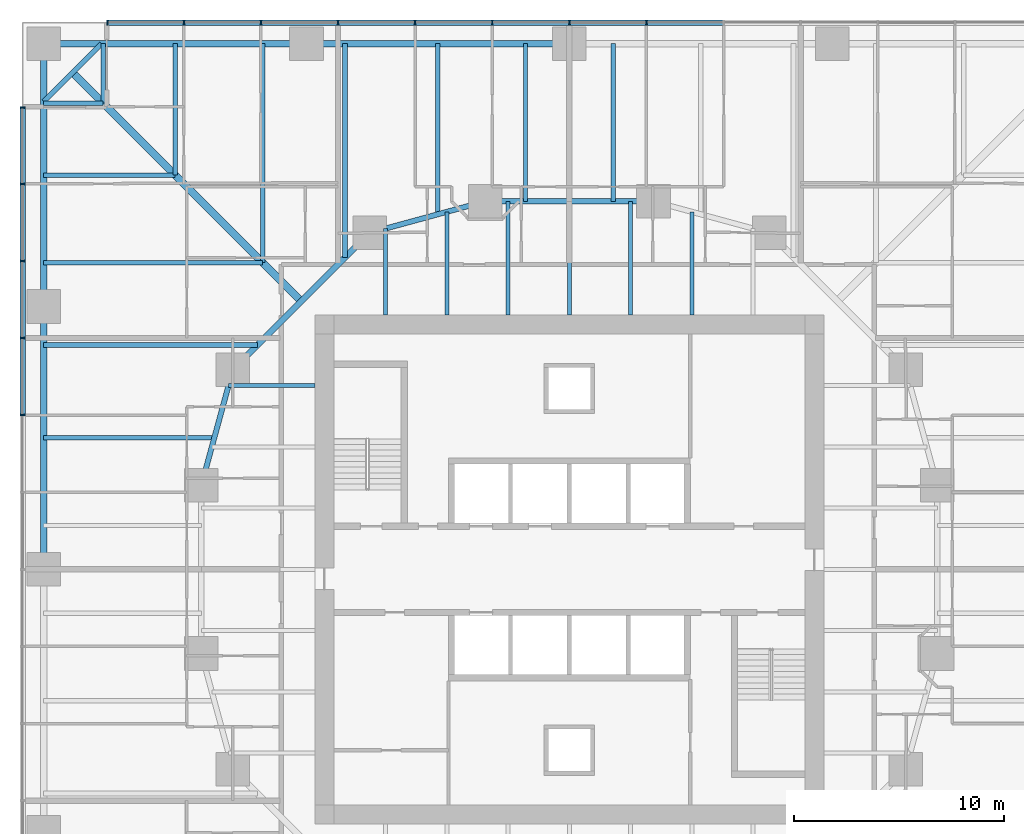
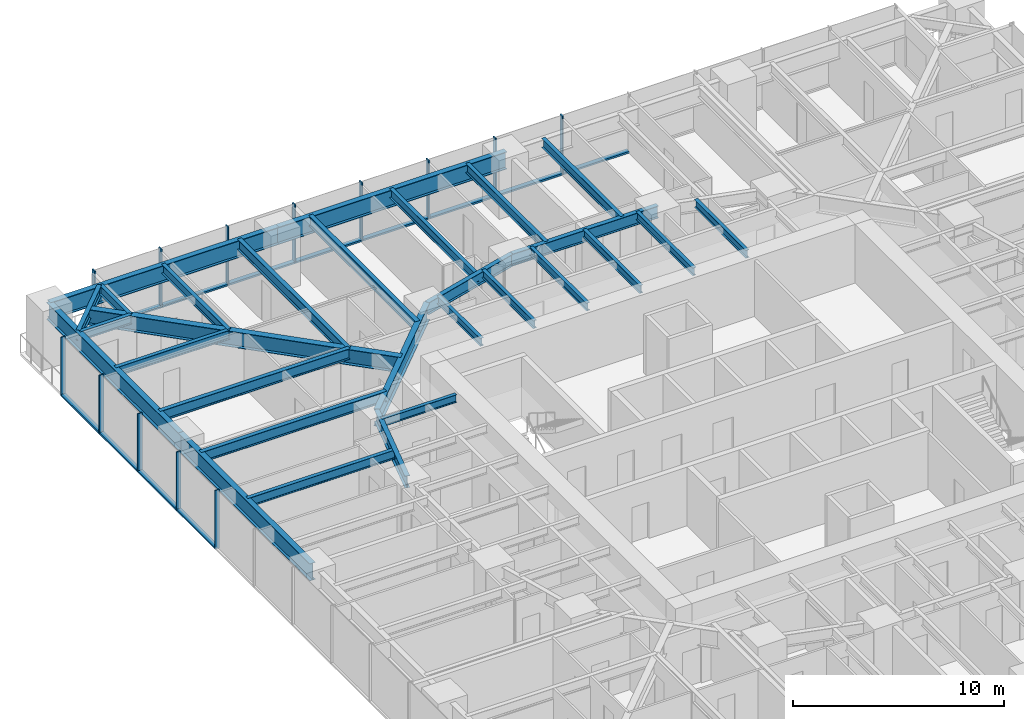
# One storey, part 5 of 16: 29 beams, 25 members, 2 elements without a shape of their own.
"""IFC4 building model written with IfcOpenShell, lengths in metres."""

from ifc_helpers import new_model, si_unit, direction, frame, origin, origin_2d, place, context, subcontext, project, spatial, rectangle, i_section, extrude, material, material_profile, profile_set, type_object, element, aggregate, save


model = new_model("IFC4")

# Units and contexts
model_context = context("Model", 3, precision=1e-05, world=origin(), true_north=direction((0.0, 1.0)))
body_context = subcontext(model_context, "Body", "Model", "MODEL_VIEW")
ifc_project = project(units=[si_unit("LENGTHUNIT", "METRE"), si_unit("AREAUNIT", "SQUARE_METRE"), si_unit("VOLUMEUNIT", "CUBIC_METRE"), si_unit("PLANEANGLEUNIT", "RADIAN"), si_unit("MASSUNIT", "GRAM", prefix="KILO")], contexts=[model_context])

# Site, building, storey
site_placement = place(None, origin())
site = spatial("IfcSite", under=ifc_project, at=site_placement, CompositionType="ELEMENT")
building_placement = place(site_placement, origin())
building = spatial("IfcBuilding", under=site, at=building_placement, Name="Torsade Residences", CompositionType="ELEMENT")
storey_placement = place(building_placement, frame((0.0, 0.0, 35.39990234375)))
storey = spatial("IfcBuildingStorey", under=building, at=storey_placement, Name="L09", CompositionType="ELEMENT", Elevation=35.39990234375)

# Beams
ifc_material_1 = material(Name="Steel grade 300", Category="steel")
ifc_material_profile_1 = material_profile(ifc_material_1, i_section(OverallWidth=0.35009765625, OverallDepth=0.909912109375, WebThickness=0.011962890625, FlangeThickness=0.02490234375, at=origin_2d()), Name="900WB218")
ifc_profile_set_1 = profile_set([ifc_material_profile_1], Name="Steel grade 300")
beam_type_1 = type_object("IfcBeamType", Name="CORNER GIRDER 900WB218", PredefinedType="BEAM", material=ifc_profile_set_1)
beam_1_placement = place(storey_placement, frame((16.375, 53.625, 2.795166015625), z_axis=(0.707106781187, -0.707106781187, 0.0), x_axis=(0.707106781187, 0.707106781187, 0.0)))
element("IfcBeam", 1, at=beam_1_placement, inside=storey, type_object=beam_type_1, Name="Corner girder 13 L10", PredefinedType="BEAM", context=body_context, shape_type="SweptSolid", body=[
    extrude(i_section(OverallWidth=0.35009765625, OverallDepth=0.909912109375, WebThickness=0.011962890625, FlangeThickness=0.02490234375, at=origin_2d()), origin(), (0.0, 0.0, 1.0), 15.379638671875),
])
ifc_material_2 = material(Name="Steel grade 300", Category="steel")
ifc_material_profile_2 = material_profile(ifc_material_2, i_section(OverallWidth=0.22802734375, OverallDepth=0.60205078125, WebThickness=0.010498046875, FlangeThickness=0.014892578125, FilletRadius=0.013916015625, at=origin_2d()), Name="610UB101")
ifc_profile_set_2 = profile_set([ifc_material_profile_2], Name="Steel grade 300")
beam_type_2 = type_object("IfcBeamType", Name="CORNER TRIMMER 610UB101", PredefinedType="BEAM", material=ifc_profile_set_2)
beam_2_placement = place(storey_placement, frame((15.0, 52.25, 2.94921875), z_axis=(0.707106781187, 0.707106781187, 0.0), x_axis=(-0.707106781187, 0.707106781187, 0.0)))
element("IfcBeam", 2, at=beam_2_placement, inside=storey, type_object=beam_type_2, Name="Corner trimmer 13 L10", PredefinedType="BEAM", context=body_context, shape_type="SweptSolid", body=[
    extrude(i_section(OverallWidth=0.22802734375, OverallDepth=0.60205078125, WebThickness=0.010498046875, FlangeThickness=0.014892578125, FilletRadius=0.013916015625, at=origin_2d()), origin(), (0.0, 0.0, 1.0), 3.88916015625),
])

# Curtain wall, members
ifc_material_3 = material(Name="Aluminium and glass", Category="aluminium")
curtain_wall_type = type_object("IfcCurtainWallType", Name="FRITTED GLASS CURTAIN WALL LOW ZONE", PredefinedType="NOTDEFINED", material=ifc_material_3)
curtain_wall_1_placement = place(storey_placement, origin())
curtain_wall_1 = element("IfcCurtainWall", 3, at=curtain_wall_1_placement, inside=storey, type_object=curtain_wall_type, Name="Curtain wall L09 face 7", PredefinedType="NOTDEFINED")
ifc_material_4 = material(Name="Aluminium mullion", Category="aluminium")
ifc_material_profile_3 = material_profile(ifc_material_4, rectangle(XDim=0.25, YDim=0.06494140625, at=origin_2d()), Name="CURTAIN WALL MULLION 250x65")
ifc_profile_set_3 = profile_set([ifc_material_profile_3], Name="Aluminium mullion")
member_type_1 = type_object("IfcMemberType", Name="CURTAIN WALL MULLION 250x65", PredefinedType="MULLION", material=ifc_profile_set_3)
member_1_placement = place(storey_placement, frame((43.666748046875, 56.0, 0.0), z_axis=(0.0, 0.0, 1.0), x_axis=(0.0, -1.0, 0.0)))
member_1 = element("IfcMember", 4, at=member_1_placement, type_object=member_type_1, Name="Mullion 6", PredefinedType="MULLION", context=body_context, shape_type="SweptSolid", body=[
    extrude(rectangle(XDim=0.25, YDim=0.06494140625, at=origin_2d()), origin(), (0.0, 0.0, 1.0), 3.400146484375),
])
member_2_placement = place(storey_placement, frame((40.0, 56.0, 0.0), z_axis=(0.0, 0.0, 1.0), x_axis=(0.0, -1.0, 0.0)))
member_2 = element("IfcMember", 5, at=member_2_placement, type_object=member_type_1, Name="Mullion 7", PredefinedType="MULLION", context=body_context, shape_type="SweptSolid", body=[
    extrude(rectangle(XDim=0.25, YDim=0.06494140625, at=origin_2d()), origin(), (0.0, 0.0, 1.0), 3.400146484375),
])
member_3_placement = place(storey_placement, frame((36.333251953125, 56.0, 0.0), z_axis=(0.0, 0.0, 1.0), x_axis=(0.0, -1.0, 0.0)))
member_3 = element("IfcMember", 6, at=member_3_placement, type_object=member_type_1, Name="Mullion 8", PredefinedType="MULLION", context=body_context, shape_type="SweptSolid", body=[
    extrude(rectangle(XDim=0.25, YDim=0.06494140625, at=origin_2d()), origin(), (0.0, 0.0, 1.0), 3.400146484375),
])
member_4_placement = place(storey_placement, frame((32.666748046875, 56.0, 0.0), z_axis=(0.0, 0.0, 1.0), x_axis=(0.0, -1.0, 0.0)))
member_4 = element("IfcMember", 7, at=member_4_placement, type_object=member_type_1, Name="Mullion 9", PredefinedType="MULLION", context=body_context, shape_type="SweptSolid", body=[
    extrude(rectangle(XDim=0.25, YDim=0.06494140625, at=origin_2d()), origin(), (0.0, 0.0, 1.0), 3.400146484375),
])
member_5_placement = place(storey_placement, frame((29.0, 56.0, 0.0), z_axis=(0.0, 0.0, 1.0), x_axis=(0.0, -1.0, 0.0)))
member_5 = element("IfcMember", 8, at=member_5_placement, type_object=member_type_1, Name="Mullion 10", PredefinedType="MULLION", context=body_context, shape_type="SweptSolid", body=[
    extrude(rectangle(XDim=0.25, YDim=0.06494140625, at=origin_2d()), origin(), (0.0, 0.0, 1.0), 3.400146484375),
])
member_6_placement = place(storey_placement, frame((25.333251953125, 56.0, 0.0), z_axis=(0.0, 0.0, 1.0), x_axis=(0.0, -1.0, 0.0)))
member_6 = element("IfcMember", 9, at=member_6_placement, type_object=member_type_1, Name="Mullion 11", PredefinedType="MULLION", context=body_context, shape_type="SweptSolid", body=[
    extrude(rectangle(XDim=0.25, YDim=0.06494140625, at=origin_2d()), origin(), (0.0, 0.0, 1.0), 3.400146484375),
])
member_7_placement = place(storey_placement, frame((21.666748046875, 56.0, 0.0), z_axis=(0.0, 0.0, 1.0), x_axis=(0.0, -1.0, 0.0)))
member_7 = element("IfcMember", 10, at=member_7_placement, type_object=member_type_1, Name="Mullion 12", PredefinedType="MULLION", context=body_context, shape_type="SweptSolid", body=[
    extrude(rectangle(XDim=0.25, YDim=0.06494140625, at=origin_2d()), origin(), (0.0, 0.0, 1.0), 3.400146484375),
])
member_8_placement = place(storey_placement, frame((18.032470703125, 56.0, 0.0), z_axis=(0.0, 0.0, 1.0), x_axis=(0.0, -1.0, 0.0)))
member_8 = element("IfcMember", 11, at=member_8_placement, type_object=member_type_1, Name="Mullion 13", PredefinedType="MULLION", context=body_context, shape_type="SweptSolid", body=[
    extrude(rectangle(XDim=0.25, YDim=0.06494140625, at=origin_2d()), origin(), (0.0, 0.0, 1.0), 3.400146484375),
])

curtain_wall_2_placement = place(storey_placement, origin())
curtain_wall_2 = element("IfcCurtainWall", 12, at=curtain_wall_2_placement, inside=storey, type_object=curtain_wall_type, Name="Curtain wall L09 face 10", PredefinedType="NOTDEFINED")
member_9_placement = place(storey_placement, frame((14.0, 51.967529296875, 0.0), z_axis=(0.0, 0.0, 1.0), x_axis=(1.0, 0.0, 0.0)))
member_9 = element("IfcMember", 13, at=member_9_placement, type_object=member_type_1, Name="Mullion 1", PredefinedType="MULLION", context=body_context, shape_type="SweptSolid", body=[
    extrude(rectangle(XDim=0.25, YDim=0.06494140625, at=origin_2d()), origin(), (0.0, 0.0, 1.0), 3.400146484375),
])
member_10_placement = place(storey_placement, frame((14.0, 48.333251953125, 0.0), z_axis=(0.0, 0.0, 1.0), x_axis=(1.0, 0.0, 0.0)))
member_10 = element("IfcMember", 14, at=member_10_placement, type_object=member_type_1, Name="Mullion 2", PredefinedType="MULLION", context=body_context, shape_type="SweptSolid", body=[
    extrude(rectangle(XDim=0.25, YDim=0.06494140625, at=origin_2d()), origin(), (0.0, 0.0, 1.0), 3.400146484375),
])
member_11_placement = place(storey_placement, frame((14.0, 44.666748046875, 0.0), z_axis=(0.0, 0.0, 1.0), x_axis=(1.0, 0.0, 0.0)))
member_11 = element("IfcMember", 15, at=member_11_placement, type_object=member_type_1, Name="Mullion 3", PredefinedType="MULLION", context=body_context, shape_type="SweptSolid", body=[
    extrude(rectangle(XDim=0.25, YDim=0.06494140625, at=origin_2d()), origin(), (0.0, 0.0, 1.0), 3.400146484375),
])
member_12_placement = place(storey_placement, frame((14.0, 41.0, 0.0), z_axis=(0.0, 0.0, 1.0), x_axis=(1.0, 0.0, 0.0)))
member_12 = element("IfcMember", 16, at=member_12_placement, type_object=member_type_1, Name="Mullion 4", PredefinedType="MULLION", context=body_context, shape_type="SweptSolid", body=[
    extrude(rectangle(XDim=0.25, YDim=0.06494140625, at=origin_2d()), origin(), (0.0, 0.0, 1.0), 3.400146484375),
])
member_13_placement = place(storey_placement, frame((14.0, 37.333251953125, 0.0), z_axis=(0.0, 0.0, 1.0), x_axis=(1.0, 0.0, 0.0)))
member_13 = element("IfcMember", 17, at=member_13_placement, type_object=member_type_1, Name="Mullion 5", PredefinedType="MULLION", context=body_context, shape_type="SweptSolid", body=[
    extrude(rectangle(XDim=0.25, YDim=0.06494140625, at=origin_2d()), origin(), (0.0, 0.0, 1.0), 3.400146484375),
])

# Member
ifc_material_5 = material(Name="Aluminium transom", Category="aluminium")
ifc_material_profile_4 = material_profile(ifc_material_5, rectangle(XDim=0.25, YDim=0.10009765625, at=origin_2d()), Name="CURTAIN WALL TRANSOM 250x100")
ifc_profile_set_4 = profile_set([ifc_material_profile_4], Name="Aluminium transom")
member_type_2 = type_object("IfcMemberType", Name="CURTAIN WALL TRANSOM 250x100", PredefinedType="USERDEFINED", material=ifc_profile_set_4)
member_14_placement = place(storey_placement, frame((47.30078125, 56.0, 0.050048828125), z_axis=(-1.0, 0.0, 0.0), x_axis=(0.0, -1.0, 0.0)))
member_14 = element("IfcMember", 18, at=member_14_placement, type_object=member_type_2, Name="Transom 5.1", ObjectType="TRANSOM", PredefinedType="USERDEFINED", context=body_context, shape_type="SweptSolid", body=[
    extrude(rectangle(XDim=0.25, YDim=0.10009765625, at=origin_2d()), origin(), (0.0, 0.0, 1.0), 3.6015625),
])

member_15_placement = place(storey_placement, frame((43.63427734375, 56.0, 0.050048828125), z_axis=(-1.0, 0.0, 0.0), x_axis=(0.0, -1.0, 0.0)))
member_15 = element("IfcMember", 19, at=member_15_placement, type_object=member_type_2, Name="Transom 6.1", ObjectType="TRANSOM", PredefinedType="USERDEFINED", context=body_context, shape_type="SweptSolid", body=[
    extrude(rectangle(XDim=0.25, YDim=0.10009765625, at=origin_2d()), origin(), (0.0, 0.0, 1.0), 3.601806640625),
])

member_16_placement = place(storey_placement, frame((39.967529296875, 56.0, 0.050048828125), z_axis=(-1.0, 0.0, 0.0), x_axis=(0.0, -1.0, 0.0)))
member_16 = element("IfcMember", 20, at=member_16_placement, type_object=member_type_2, Name="Transom 7.1", ObjectType="TRANSOM", PredefinedType="USERDEFINED", context=body_context, shape_type="SweptSolid", body=[
    extrude(rectangle(XDim=0.25, YDim=0.10009765625, at=origin_2d()), origin(), (0.0, 0.0, 1.0), 3.601806640625),
])

member_17_placement = place(storey_placement, frame((36.30078125, 56.0, 0.050048828125), z_axis=(-1.0, 0.0, 0.0), x_axis=(0.0, -1.0, 0.0)))
member_17 = element("IfcMember", 21, at=member_17_placement, type_object=member_type_2, Name="Transom 8.1", ObjectType="TRANSOM", PredefinedType="USERDEFINED", context=body_context, shape_type="SweptSolid", body=[
    extrude(rectangle(XDim=0.25, YDim=0.10009765625, at=origin_2d()), origin(), (0.0, 0.0, 1.0), 3.6015625),
])

member_18_placement = place(storey_placement, frame((32.63427734375, 56.0, 0.050048828125), z_axis=(-1.0, 0.0, 0.0), x_axis=(0.0, -1.0, 0.0)))
member_18 = element("IfcMember", 22, at=member_18_placement, type_object=member_type_2, Name="Transom 9.1", ObjectType="TRANSOM", PredefinedType="USERDEFINED", context=body_context, shape_type="SweptSolid", body=[
    extrude(rectangle(XDim=0.25, YDim=0.10009765625, at=origin_2d()), origin(), (0.0, 0.0, 1.0), 3.601806640625),
])

member_19_placement = place(storey_placement, frame((28.967529296875, 56.0, 0.050048828125), z_axis=(-1.0, 0.0, 0.0), x_axis=(0.0, -1.0, 0.0)))
member_19 = element("IfcMember", 23, at=member_19_placement, type_object=member_type_2, Name="Transom 10.1", ObjectType="TRANSOM", PredefinedType="USERDEFINED", context=body_context, shape_type="SweptSolid", body=[
    extrude(rectangle(XDim=0.25, YDim=0.10009765625, at=origin_2d()), origin(), (0.0, 0.0, 1.0), 3.601806640625),
])

member_20_placement = place(storey_placement, frame((25.30078125, 56.0, 0.050048828125), z_axis=(-1.0, 0.0, 0.0), x_axis=(0.0, -1.0, 0.0)))
member_20 = element("IfcMember", 24, at=member_20_placement, type_object=member_type_2, Name="Transom 11.1", ObjectType="TRANSOM", PredefinedType="USERDEFINED", context=body_context, shape_type="SweptSolid", body=[
    extrude(rectangle(XDim=0.25, YDim=0.10009765625, at=origin_2d()), origin(), (0.0, 0.0, 1.0), 3.6015625),
])

member_21_placement = place(storey_placement, frame((21.63427734375, 56.0, 0.050048828125), z_axis=(-1.0, 0.0, 0.0), x_axis=(0.0, -1.0, 0.0)))
member_21 = element("IfcMember", 25, at=member_21_placement, type_object=member_type_2, Name="Transom 12.1", ObjectType="TRANSOM", PredefinedType="USERDEFINED", context=body_context, shape_type="SweptSolid", body=[
    extrude(rectangle(XDim=0.25, YDim=0.10009765625, at=origin_2d()), origin(), (0.0, 0.0, 1.0), 3.5693359375),
])

aggregate(curtain_wall_1, [member_1, member_2, member_3, member_4, member_5, member_6, member_7, member_8, member_14, member_15, member_16, member_17, member_18, member_19, member_20, member_21])

member_22_placement = place(storey_placement, frame((14.0, 51.93505859375, 0.050048828125), z_axis=(0.0, -1.0, 0.0), x_axis=(1.0, 0.0, 0.0)))
member_22 = element("IfcMember", 26, at=member_22_placement, type_object=member_type_2, Name="Transom 1.1", ObjectType="TRANSOM", PredefinedType="USERDEFINED", context=body_context, shape_type="SweptSolid", body=[
    extrude(rectangle(XDim=0.25, YDim=0.10009765625, at=origin_2d()), origin(), (0.0, 0.0, 1.0), 3.5693359375),
])

member_23_placement = place(storey_placement, frame((14.0, 48.30078125, 0.050048828125), z_axis=(0.0, -1.0, 0.0), x_axis=(1.0, 0.0, 0.0)))
member_23 = element("IfcMember", 27, at=member_23_placement, type_object=member_type_2, Name="Transom 2.1", ObjectType="TRANSOM", PredefinedType="USERDEFINED", context=body_context, shape_type="SweptSolid", body=[
    extrude(rectangle(XDim=0.25, YDim=0.10009765625, at=origin_2d()), origin(), (0.0, 0.0, 1.0), 3.6015625),
])

member_24_placement = place(storey_placement, frame((14.0, 44.63427734375, 0.050048828125), z_axis=(0.0, -1.0, 0.0), x_axis=(1.0, 0.0, 0.0)))
member_24 = element("IfcMember", 28, at=member_24_placement, type_object=member_type_2, Name="Transom 3.1", ObjectType="TRANSOM", PredefinedType="USERDEFINED", context=body_context, shape_type="SweptSolid", body=[
    extrude(rectangle(XDim=0.25, YDim=0.10009765625, at=origin_2d()), origin(), (0.0, 0.0, 1.0), 3.601806640625),
])

member_25_placement = place(storey_placement, frame((14.0, 40.967529296875, 0.050048828125), z_axis=(0.0, -1.0, 0.0), x_axis=(1.0, 0.0, 0.0)))
member_25 = element("IfcMember", 29, at=member_25_placement, type_object=member_type_2, Name="Transom 4.1", ObjectType="TRANSOM", PredefinedType="USERDEFINED", context=body_context, shape_type="SweptSolid", body=[
    extrude(rectangle(XDim=0.25, YDim=0.10009765625, at=origin_2d()), origin(), (0.0, 0.0, 1.0), 3.601806640625),
])

aggregate(curtain_wall_2, [member_9, member_10, member_11, member_12, member_13, member_22, member_23, member_24, member_25])

# Beams
ifc_material_6 = material(Name="Steel grade 300", Category="steel")
ifc_material_profile_5 = material_profile(ifc_material_6, i_section(OverallWidth=0.300048828125, OverallDepth=1.0, WebThickness=0.01611328125, FlangeThickness=0.028076171875, at=origin_2d()), Name="1000WB215")
ifc_profile_set_5 = profile_set([ifc_material_profile_5], Name="Steel grade 300")
beam_type_3 = type_object("IfcBeamType", Name="EDGE BEAM 1000WB215", PredefinedType="SPANDREL", material=ifc_profile_set_5)
for number, where, z_axis, x_axis, name in (
    (30, (40.0, 55.0, 2.75), (-1.0, 0.0, 0.0), (0.0, -1.0, 0.0), "Edge beam 11 L10"),
    (31, (27.5, 55.0, 2.75), (-1.0, 0.0, 0.0), (0.0, -1.0, 0.0), "Edge beam 12 L10"),
    (32, (15.0, 55.0, 2.75), (0.0, -1.0, 0.0), (1.0, 0.0, 0.0), "Edge beam 13 L10"),
    (33, (15.0, 42.5, 2.75), (0.0, -1.0, 0.0), (1.0, 0.0, 0.0), "Edge beam 14 L10"),
):
    element("IfcBeam", number, at=place(storey_placement, frame(where, z_axis=z_axis, x_axis=x_axis)), inside=storey, type_object=beam_type_3, Name=name, PredefinedType="SPANDREL", context=body_context, shape_type="SweptSolid", body=[
        extrude(i_section(OverallWidth=0.300048828125, OverallDepth=1.0, WebThickness=0.01611328125, FlangeThickness=0.028076171875, at=origin_2d()), origin(), (0.0, 0.0, 1.0), 12.5),
    ])
ifc_material_7 = material(Name="Steel grade 300", Category="steel")
ifc_material_profile_6 = material_profile(ifc_material_7, i_section(OverallWidth=0.18994140625, OverallDepth=0.4541015625, WebThickness=0.008544921875, FlangeThickness=0.0126953125, FilletRadius=0.011474609375, at=origin_2d()), Name="460UB67.1")
ifc_profile_set_6 = profile_set([ifc_material_profile_6], Name="Steel grade 300")
beam_type_4 = type_object("IfcBeamType", Name="INNER FLOOR BEAM 460UB67.1", PredefinedType="JOIST", material=ifc_profile_set_6)
beam_3_placement = place(storey_placement, frame((31.262451171875, 42.10009765625, 3.023193359375), z_axis=(0.0, 1.0, 0.0), x_axis=(-1.0, 0.0, 0.0)))
element("IfcBeam", 34, at=beam_3_placement, inside=storey, type_object=beam_type_4, Name="Inner floor beam IN01 L10", PredefinedType="JOIST", context=body_context, shape_type="SweptSolid", body=[
    extrude(i_section(OverallWidth=0.18994140625, OverallDepth=0.4541015625, WebThickness=0.008544921875, FlangeThickness=0.0126953125, FilletRadius=0.011474609375, at=origin_2d()), origin(), (0.0, 0.0, 1.0), 4.10791015625),
])
beam_4_placement = place(storey_placement, frame((34.175048828125, 42.10009765625, 3.023193359375), z_axis=(0.0, 1.0, 0.0), x_axis=(-1.0, 0.0, 0.0)))
element("IfcBeam", 35, at=beam_4_placement, inside=storey, type_object=beam_type_4, Name="Inner floor beam IN02 L10", PredefinedType="JOIST", context=body_context, shape_type="SweptSolid", body=[
    extrude(i_section(OverallWidth=0.18994140625, OverallDepth=0.4541015625, WebThickness=0.008544921875, FlangeThickness=0.0126953125, FilletRadius=0.011474609375, at=origin_2d()), origin(), (0.0, 0.0, 1.0), 4.902099609375),
])
for number, where, z_axis, x_axis, name in (
    (36, (37.08740234375, 42.10009765625, 3.023193359375), (0.0, 1.0, 0.0), (-1.0, 0.0, 0.0), "Inner floor beam IN03 L10"),
    (37, (40.0, 42.10009765625, 3.023193359375), (0.0, 1.0, 0.0), (-1.0, 0.0, 0.0), "Inner floor beam IN04 L10"),
    (38, (42.91259765625, 42.10009765625, 3.023193359375), (0.0, 1.0, 0.0), (-1.0, 0.0, 0.0), "Inner floor beam IN05 L10"),
):
    element("IfcBeam", number, at=place(storey_placement, frame(where, z_axis=z_axis, x_axis=x_axis)), inside=storey, type_object=beam_type_4, Name=name, PredefinedType="JOIST", context=body_context, shape_type="SweptSolid", body=[
        extrude(i_section(OverallWidth=0.18994140625, OverallDepth=0.4541015625, WebThickness=0.008544921875, FlangeThickness=0.0126953125, FilletRadius=0.011474609375, at=origin_2d()), origin(), (0.0, 0.0, 1.0), 5.39990234375),
    ])
beam_5_placement = place(storey_placement, frame((45.824951171875, 42.10009765625, 3.023193359375), z_axis=(0.0, 1.0, 0.0), x_axis=(-1.0, 0.0, 0.0)))
element("IfcBeam", 39, at=beam_5_placement, inside=storey, type_object=beam_type_4, Name="Inner floor beam IN06 L10", PredefinedType="JOIST", context=body_context, shape_type="SweptSolid", body=[
    extrude(i_section(OverallWidth=0.18994140625, OverallDepth=0.4541015625, WebThickness=0.008544921875, FlangeThickness=0.0126953125, FilletRadius=0.011474609375, at=origin_2d()), origin(), (0.0, 0.0, 1.0), 4.902099609375),
])
beam_6_placement = place(storey_placement, frame((27.89990234375, 38.737548828125, 3.023193359375), z_axis=(-1.0, 0.0, 0.0), x_axis=(0.0, -1.0, 0.0)))
element("IfcBeam", 40, at=beam_6_placement, inside=storey, type_object=beam_type_4, Name="Inner floor beam IW01 L10", PredefinedType="JOIST", context=body_context, shape_type="SweptSolid", body=[
    extrude(i_section(OverallWidth=0.18994140625, OverallDepth=0.4541015625, WebThickness=0.008544921875, FlangeThickness=0.0126953125, FilletRadius=0.011474609375, at=origin_2d()), origin(), (0.0, 0.0, 1.0), 4.10791015625),
])
ifc_material_8 = material(Name="Steel grade 300", Category="steel")
ifc_material_profile_7 = material_profile(ifc_material_8, i_section(OverallWidth=0.300048828125, OverallDepth=1.0, WebThickness=0.01611328125, FlangeThickness=0.028076171875, at=origin_2d()), Name="1000WB215")
ifc_profile_set_7 = profile_set([ifc_material_profile_7], Name="Steel grade 300")
beam_type_5 = type_object("IfcBeamType", Name="RING CORNER GIRDER 1000WB215", PredefinedType="BEAM", material=ifc_profile_set_7)
beam_7_placement = place(storey_placement, frame((30.5, 46.0, 2.75), z_axis=(-0.707106781187, -0.707106781187, 0.0), x_axis=(0.707106781187, -0.707106781187, 0.0)))
element("IfcBeam", 41, at=beam_7_placement, inside=storey, type_object=beam_type_5, Name="Ring girder IR07 L10", PredefinedType="BEAM", context=body_context, shape_type="SweptSolid", body=[
    extrude(i_section(OverallWidth=0.300048828125, OverallDepth=1.0, WebThickness=0.01611328125, FlangeThickness=0.028076171875, at=origin_2d()), origin(), (0.0, 0.0, 1.0), 9.1923828125),
])
ifc_material_9 = material(Name="Steel grade 300", Category="steel")
ifc_material_profile_8 = material_profile(ifc_material_9, i_section(OverallWidth=0.25, OverallDepth=0.699951171875, WebThickness=0.010009765625, FlangeThickness=0.02001953125, at=origin_2d()), Name="700WB130")
ifc_profile_set_8 = profile_set([ifc_material_profile_8], Name="Steel grade 300")
beam_type_6 = type_object("IfcBeamType", Name="RING GIRDER 700WB130", PredefinedType="BEAM", material=ifc_profile_set_8)
beam_8_placement = place(storey_placement, frame((44.0, 47.5, 2.900146484375), z_axis=(-1.0, 0.0, 0.0), x_axis=(0.0, -1.0, 0.0)))
element("IfcBeam", 42, at=beam_8_placement, inside=storey, type_object=beam_type_6, Name="Ring girder IR05 L10", PredefinedType="BEAM", context=body_context, shape_type="SweptSolid", body=[
    extrude(i_section(OverallWidth=0.25, OverallDepth=0.699951171875, WebThickness=0.010009765625, FlangeThickness=0.02001953125, at=origin_2d()), origin(), (0.0, 0.0, 1.0), 8.0),
])
for number, where, z_axis, x_axis, name in (
    (43, (36.0, 47.5, 2.900146484375), (-0.964763821238, -0.263117405792, 0.0), (0.263117405792, -0.964763821238, 0.0), "Ring girder IR06 L10"),
    (44, (24.0, 39.5, 2.900146484375), (-0.263117405792, -0.964763821238, 0.0), (0.964763821238, -0.263117405792, 0.0), "Ring girder IR08 L10"),
):
    element("IfcBeam", number, at=place(storey_placement, frame(where, z_axis=z_axis, x_axis=x_axis)), inside=storey, type_object=beam_type_6, Name=name, PredefinedType="BEAM", context=body_context, shape_type="SweptSolid", body=[
        extrude(i_section(OverallWidth=0.25, OverallDepth=0.699951171875, WebThickness=0.010009765625, FlangeThickness=0.02001953125, at=origin_2d()), origin(), (0.0, 0.0, 1.0), 5.700927734375),
    ])
ifc_material_10 = material(Name="Steel grade 300", Category="steel")
ifc_material_profile_9 = material_profile(ifc_material_10, i_section(OverallWidth=0.208984375, OverallDepth=0.528076171875, WebThickness=0.009521484375, FlangeThickness=0.01318359375, FilletRadius=0.013916015625, at=origin_2d()), Name="530UB82.0")
ifc_profile_set_9 = profile_set([ifc_material_profile_9], Name="Steel grade 300")
beam_type_7 = type_object("IfcBeamType", Name="SECONDARY BEAM 530UB82.0", PredefinedType="JOIST", material=ifc_profile_set_9)
for number, where, z_axis, x_axis, name in (
    (45, (42.083251953125, 55.0, 2.986083984375), (0.0, -1.0, 0.0), (1.0, 0.0, 0.0), "Floor beam FN06 L10"),
    (46, (37.916748046875, 55.0, 2.986083984375), (0.0, -1.0, 0.0), (1.0, 0.0, 0.0), "Floor beam FN07 L10"),
):
    element("IfcBeam", number, at=place(storey_placement, frame(where, z_axis=z_axis, x_axis=x_axis)), inside=storey, type_object=beam_type_7, Name=name, PredefinedType="JOIST", context=body_context, shape_type="SweptSolid", body=[
        extrude(i_section(OverallWidth=0.208984375, OverallDepth=0.528076171875, WebThickness=0.009521484375, FlangeThickness=0.01318359375, FilletRadius=0.013916015625, at=origin_2d()), origin(), (0.0, 0.0, 1.0), 7.5),
    ])
beam_9_placement = place(storey_placement, frame((33.75, 55.0, 2.986083984375), z_axis=(0.0, -1.0, 0.0), x_axis=(1.0, 0.0, 0.0)))
element("IfcBeam", 47, at=beam_9_placement, inside=storey, type_object=beam_type_7, Name="Floor beam FN08 L10", PredefinedType="JOIST", context=body_context, shape_type="SweptSolid", body=[
    extrude(i_section(OverallWidth=0.208984375, OverallDepth=0.528076171875, WebThickness=0.009521484375, FlangeThickness=0.01318359375, FilletRadius=0.013916015625, at=origin_2d()), origin(), (0.0, 0.0, 1.0), 8.113525390625),
])
beam_10_placement = place(storey_placement, frame((21.25, 55.0, 2.986083984375), z_axis=(0.0, -1.0, 0.0), x_axis=(1.0, 0.0, 0.0)))
element("IfcBeam", 48, at=beam_10_placement, inside=storey, type_object=beam_type_7, Name="Floor beam FN11 L10", PredefinedType="JOIST", context=body_context, shape_type="SweptSolid", body=[
    extrude(i_section(OverallWidth=0.208984375, OverallDepth=0.528076171875, WebThickness=0.009521484375, FlangeThickness=0.01318359375, FilletRadius=0.013916015625, at=origin_2d()), origin(), (0.0, 0.0, 1.0), 6.25),
])
for number, where, z_axis, x_axis, name in (
    (49, (17.833251953125, 55.0, 2.986083984375), (0.0, -1.0, 0.0), (1.0, 0.0, 0.0), "Floor beam FN12 L10"),
    (50, (15.0, 52.166748046875, 2.986083984375), (1.0, 0.0, 0.0), (0.0, 1.0, 0.0), "Floor beam FW01 L10"),
):
    element("IfcBeam", number, at=place(storey_placement, frame(where, z_axis=z_axis, x_axis=x_axis)), inside=storey, type_object=beam_type_7, Name=name, PredefinedType="JOIST", context=body_context, shape_type="SweptSolid", body=[
        extrude(i_section(OverallWidth=0.208984375, OverallDepth=0.528076171875, WebThickness=0.009521484375, FlangeThickness=0.01318359375, FilletRadius=0.013916015625, at=origin_2d()), origin(), (0.0, 0.0, 1.0), 2.833251953125),
    ])
beam_11_placement = place(storey_placement, frame((15.0, 48.75, 2.986083984375), z_axis=(1.0, 0.0, 0.0), x_axis=(0.0, 1.0, 0.0)))
element("IfcBeam", 51, at=beam_11_placement, inside=storey, type_object=beam_type_7, Name="Floor beam FW02 L10", PredefinedType="JOIST", context=body_context, shape_type="SweptSolid", body=[
    extrude(i_section(OverallWidth=0.208984375, OverallDepth=0.528076171875, WebThickness=0.009521484375, FlangeThickness=0.01318359375, FilletRadius=0.013916015625, at=origin_2d()), origin(), (0.0, 0.0, 1.0), 6.25),
])
beam_12_placement = place(storey_placement, frame((15.0, 36.25, 2.986083984375), z_axis=(1.0, 0.0, 0.0), x_axis=(0.0, 1.0, 0.0)))
element("IfcBeam", 52, at=beam_12_placement, inside=storey, type_object=beam_type_7, Name="Floor beam FW05 L10", PredefinedType="JOIST", context=body_context, shape_type="SweptSolid", body=[
    extrude(i_section(OverallWidth=0.208984375, OverallDepth=0.528076171875, WebThickness=0.009521484375, FlangeThickness=0.01318359375, FilletRadius=0.013916015625, at=origin_2d()), origin(), (0.0, 0.0, 1.0), 8.113525390625),
])
ifc_material_11 = material(Name="Steel grade 300", Category="steel")
ifc_material_profile_10 = material_profile(ifc_material_11, i_section(OverallWidth=0.22900390625, OverallDepth=0.612060546875, WebThickness=0.011962890625, FlangeThickness=0.01953125, FilletRadius=0.013916015625, at=origin_2d()), Name="610UB125")
ifc_profile_set_10 = profile_set([ifc_material_profile_10], Name="Steel grade 300")
beam_type_8 = type_object("IfcBeamType", Name="SECONDARY BEAM 610UB125", PredefinedType="JOIST", material=ifc_profile_set_10)
beam_13_placement = place(storey_placement, frame((29.333251953125, 55.0, 2.944091796875), z_axis=(0.0, -1.0, 0.0), x_axis=(1.0, 0.0, 0.0)))
element("IfcBeam", 53, at=beam_13_placement, inside=storey, type_object=beam_type_8, Name="Floor beam FN09 L10", PredefinedType="JOIST", context=body_context, shape_type="SweptSolid", body=[
    extrude(i_section(OverallWidth=0.22900390625, OverallDepth=0.612060546875, WebThickness=0.011962890625, FlangeThickness=0.01953125, FilletRadius=0.013916015625, at=origin_2d()), origin(), (0.0, 0.0, 1.0), 10.166748046875),
])
for number, where, z_axis, x_axis, name in (
    (54, (25.416748046875, 55.0, 2.944091796875), (0.0, -1.0, 0.0), (1.0, 0.0, 0.0), "Floor beam FN10 L10"),
    (55, (15.0, 44.583251953125, 2.944091796875), (1.0, 0.0, 0.0), (0.0, 1.0, 0.0), "Floor beam FW03 L10"),
):
    element("IfcBeam", number, at=place(storey_placement, frame(where, z_axis=z_axis, x_axis=x_axis)), inside=storey, type_object=beam_type_8, Name=name, PredefinedType="JOIST", context=body_context, shape_type="SweptSolid", body=[
        extrude(i_section(OverallWidth=0.22900390625, OverallDepth=0.612060546875, WebThickness=0.011962890625, FlangeThickness=0.01953125, FilletRadius=0.013916015625, at=origin_2d()), origin(), (0.0, 0.0, 1.0), 10.416748046875),
    ])
beam_14_placement = place(storey_placement, frame((15.0, 40.666748046875, 2.944091796875), z_axis=(1.0, 0.0, 0.0), x_axis=(0.0, 1.0, 0.0)))
element("IfcBeam", 56, at=beam_14_placement, inside=storey, type_object=beam_type_8, Name="Floor beam FW04 L10", PredefinedType="JOIST", context=body_context, shape_type="SweptSolid", body=[
    extrude(i_section(OverallWidth=0.22900390625, OverallDepth=0.612060546875, WebThickness=0.011962890625, FlangeThickness=0.01953125, FilletRadius=0.013916015625, at=origin_2d()), origin(), (0.0, 0.0, 1.0), 10.166748046875),
])

save(model, "model.ifc")
